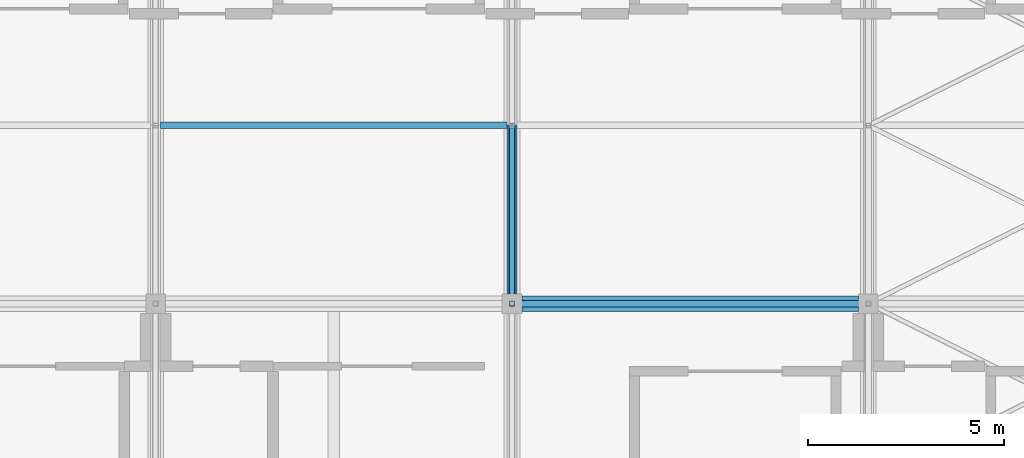
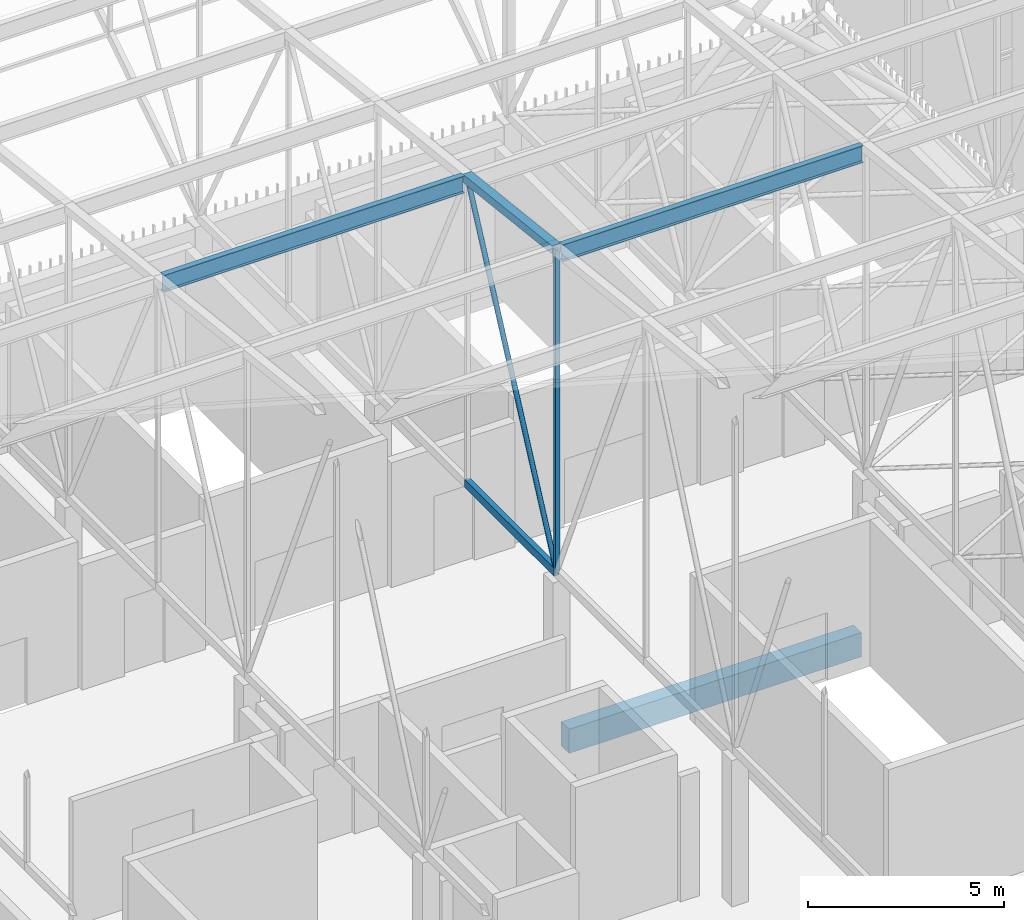
# One storey, part 393 of 500: 6 members, 1 beam.
"""IFC4 building model written with IfcOpenShell, lengths in metres."""

import ifcopenshell
import ifcopenshell.guid

model = None  # the IFC model being written
_history = None  # IfcOwnerHistory: only IFC2X3 demands one
_inside = {}  # id of a spatial element -> (the spatial element, [elements in it])
_under = {}  # id of a project, library or spatial element -> (it, [spatial elements below it])
_declared = {}  # id of a project -> (the project, [libraries it declares])
_typed = {}  # id of a type object -> (the type object, [elements of that type])
_made_of = {}  # id of a material, layer set ... -> (it, [elements and type objects made of it])


def new_model(schema):
    """Start an empty IFC model of exactly this schema.

    Asked for "IFC4X3", IfcOpenShell would pick the latest addendum, in which some entities
    have other attributes; the version numbers below select the first issue.
    IFC2X3 requires an IfcOwnerHistory on every rooted entity: one is made here for all.
    """
    global model, _history
    if schema == "IFC4X3":
        model = ifcopenshell.file(schema_version=(4, 3, 0, 0))
    else:
        model = ifcopenshell.file(schema=schema)
    _inside.clear()
    _under.clear()
    _declared.clear()
    _typed.clear()
    _made_of.clear()
    _history = None
    if model.schema == "IFC2X3":
        org = make("IfcOrganization", Name="unknown")
        user = make(
            "IfcPersonAndOrganization",
            ThePerson=make("IfcPerson", FamilyName="unknown"),
            TheOrganization=org,
        )
        app = make(
            "IfcApplication",
            ApplicationDeveloper=org,
            Version="unknown",
            ApplicationFullName="unknown",
            ApplicationIdentifier="unknown",
        )
        _history = make(
            "IfcOwnerHistory",
            OwningUser=user,
            OwningApplication=app,
            ChangeAction="ADDED",
            CreationDate=0,
        )
    return model


def make(cls, **values):
    """One entity of the class cls with the attributes given. An attribute that is None is left unset."""
    return model.create_entity(
        cls, **{name: value for name, value in values.items() if value is not None}
    )


def rooted(cls, **values):
    """An entity with a GlobalId (a new one), such as an element, a storey or a relation."""
    return make(cls, GlobalId=ifcopenshell.guid.new(), OwnerHistory=_history, **values)


def si_unit(unit_type, name, prefix=None):
    """IfcSIUnit, for example si_unit("LENGTHUNIT", "METRE", prefix="MILLI")."""
    return make("IfcSIUnit", UnitType=unit_type, Prefix=prefix, Name=name)


def assignment(units):
    """IfcUnitAssignment: the units of a project."""
    return None if units is None else make("IfcUnitAssignment", Units=units)


def point(xyz):
    """IfcCartesianPoint."""
    return None if xyz is None else make("IfcCartesianPoint", Coordinates=xyz)


def direction(xyz):
    """IfcDirection."""
    return None if xyz is None else make("IfcDirection", DirectionRatios=xyz)


def frame(location, z_axis=None, x_axis=None):
    """IfcAxis2Placement3D, a coordinate frame: its origin and axes. An axis left out is left unset."""
    return make(
        "IfcAxis2Placement3D",
        Location=point(location),
        Axis=direction(z_axis),
        RefDirection=direction(x_axis),
    )


def frame_2d(location, x_axis=None):
    """IfcAxis2Placement2D, a coordinate frame in the plane: its origin and x axis."""
    return make(
        "IfcAxis2Placement2D", Location=point(location), RefDirection=direction(x_axis)
    )


def origin():
    """The frame at (0, 0, 0) with its axes left unset."""
    return frame((0.0, 0.0, 0.0))


def origin_2d():
    """The frame at (0, 0) in the plane with its x axis left unset."""
    return frame_2d((0.0, 0.0))


def place(relative_to, where):
    """IfcLocalPlacement: puts the frame where relative to a parent placement (None: the world)."""
    return make(
        "IfcLocalPlacement", PlacementRelTo=relative_to, RelativePlacement=where
    )


def context(
    kind, dimensions, precision=None, world=None, true_north=None, identifier=None
):
    """IfcGeometricRepresentationContext, for example the 3D "Model" context."""
    return make(
        "IfcGeometricRepresentationContext",
        ContextIdentifier=identifier,
        ContextType=kind,
        CoordinateSpaceDimension=dimensions,
        Precision=precision,
        WorldCoordinateSystem=world,
        TrueNorth=true_north,
    )


def subcontext(parent, identifier, kind, view, scale=None):
    """IfcGeometricRepresentationSubContext, for example "Body" below "Model"."""
    return make(
        "IfcGeometricRepresentationSubContext",
        ContextIdentifier=identifier,
        ContextType=kind,
        ParentContext=parent,
        TargetScale=scale,
        TargetView=view,
    )


def project(units=None, contexts=None):
    """IfcProject with its units and contexts."""
    return rooted(
        "IfcProject",
        Name="project",
        RepresentationContexts=contexts,
        UnitsInContext=assignment(units),
    )


def spatial(cls, under=None, at=None, **own):
    """A site, building, storey or space (cls), placed at a placement, below another one or the project."""
    s = rooted(cls, ObjectPlacement=at, **own)
    if under is not None:
        _under.setdefault(under.id(), (under, []))[1].append(s)
    return s


def profile(cls, at=None, kind="AREA", **sizes):
    """A parametric profile (cls). Its sizes go by their IFC names, for example OverallWidth=200.0."""
    return make(cls, ProfileType=kind, Position=at, **sizes)


def rectangle(**sizes):
    """IfcRectangleProfileDef."""
    return profile("IfcRectangleProfileDef", **sizes)


def hollow_rectangle(**sizes):
    """IfcRectangleHollowProfileDef."""
    return profile("IfcRectangleHollowProfileDef", **sizes)


def hollow_circle(**sizes):
    """IfcCircleHollowProfileDef."""
    return profile("IfcCircleHollowProfileDef", **sizes)


def i_section(**sizes):
    """IfcIShapeProfileDef."""
    return profile("IfcIShapeProfileDef", **sizes)


def extrude(swept, where, along, depth):
    """IfcExtrudedAreaSolid: the profile swept, set in the frame where, extruded along a direction by depth."""
    return make(
        "IfcExtrudedAreaSolid",
        SweptArea=swept,
        Position=where,
        ExtrudedDirection=direction(along),
        Depth=depth,
    )


def shape(context_of_items, identifier, shape_type, items):
    """IfcShapeRepresentation: the items that make up one representation, for example the "Body"."""
    return make(
        "IfcShapeRepresentation",
        ContextOfItems=context_of_items,
        RepresentationIdentifier=identifier,
        RepresentationType=shape_type,
        Items=items,
    )


def material(Name=None, Category=None):
    """IfcMaterial."""
    return make("IfcMaterial", Name=Name, Category=Category)


def material_profile(
    of_material, cross_section, Name=None, Category=None, Priority=None
):
    """IfcMaterialProfile: a cross section and its material."""
    return make(
        "IfcMaterialProfile",
        Name=Name,
        Material=of_material,
        Profile=cross_section,
        Priority=Priority,
        Category=Category,
    )


def profile_set(profiles, Name=None, composite=None):
    """IfcMaterialProfileSet."""
    return make(
        "IfcMaterialProfileSet",
        Name=Name,
        MaterialProfiles=profiles,
        CompositeProfile=composite,
    )


def made_of(thing, what):
    """Note that an element or type object is made of a material, layer set ...; save() writes the relation."""
    if what is not None:
        _made_of.setdefault(what.id(), (what, []))[1].append(thing)
    return thing


def type_object(cls, material=None, **own):
    """A type object (cls), such as IfcWallType, which elements share."""
    return made_of(rooted(cls, **own), material)


def element(
    cls,
    number,
    at=None,
    inside=None,
    cuts=None,
    type_object=None,
    material=None,
    context=None,
    identifier="Body",
    shape_type=None,
    held_by="IfcProductDefinitionShape",
    body=None,
    shapes=None,
    **own,
):
    """One element of the class cls, such as IfcWall. Its Tag is "e" and its number.

    at: its placement. inside: the storey or other place that contains it. cuts: it is an
    opening in that element (IfcRelVoidsElement). A single representation is given by context,
    identifier, shape_type and body (its items); several are given by shapes. held_by: the class
    of the entity that holds the representations. save() writes the other relations.
    """
    e = rooted(cls, Tag="e%d" % number, ObjectPlacement=at, **own)
    if body is not None:
        shapes = [shape(context, identifier, shape_type, body)]
    if shapes is not None:
        e.Representation = make(held_by, Representations=shapes)
    if inside is not None:
        _inside.setdefault(inside.id(), (inside, []))[1].append(e)
    if cuts is not None:
        rooted(
            "IfcRelVoidsElement", RelatingBuildingElement=cuts, RelatedOpeningElement=e
        )
    if type_object is not None:
        _typed.setdefault(type_object.id(), (type_object, []))[1].append(e)
    return made_of(e, material)


def aggregate(whole, parts):
    """IfcRelAggregates: a whole, such as a stair, and the parts it consists of."""
    return rooted("IfcRelAggregates", RelatingObject=whole, RelatedObjects=parts)


def save(model, path):
    """Write the relations noted so far, then the file.

    IfcRelAggregates (storeys below a building ...), IfcRelContainedInSpatialStructure (elements
    in a storey), IfcRelDefinesByType, IfcRelAssociatesMaterial and IfcRelDeclares: one each for
    every whole, place, type object, material and project.
    """
    for whole, parts in _under.values():
        aggregate(whole, parts)
    for where, things in _inside.values():
        rooted(
            "IfcRelContainedInSpatialStructure",
            RelatedElements=things,
            RelatingStructure=where,
        )
    for kind, things in _typed.values():
        rooted("IfcRelDefinesByType", RelatedObjects=things, RelatingType=kind)
    for what, things in _made_of.values():
        rooted("IfcRelAssociatesMaterial", RelatedObjects=things, RelatingMaterial=what)
    for by, libraries in _declared.values():
        rooted("IfcRelDeclares", RelatingContext=by, RelatedDefinitions=libraries)
    model.write(path)


model = new_model("IFC4")

# Units and contexts
model_context = context("Model", 3, precision=1e-05, world=origin(), true_north=direction((0.0, 1.0)))
body_context = subcontext(model_context, "Body", "Model", "MODEL_VIEW")
ifc_project = project(units=[si_unit("LENGTHUNIT", "METRE"), si_unit("AREAUNIT", "SQUARE_METRE"), si_unit("VOLUMEUNIT", "CUBIC_METRE"), si_unit("PLANEANGLEUNIT", "RADIAN"), si_unit("MASSUNIT", "GRAM", prefix="KILO")], contexts=[model_context])

# Site, building, storey
site_placement = place(None, origin())
site = spatial("IfcSite", under=ifc_project, at=site_placement, CompositionType="ELEMENT")
building_placement = place(site_placement, origin())
building = spatial("IfcBuilding", under=site, at=building_placement, Name="Shirokan Park Arena", CompositionType="ELEMENT")
storey_placement = place(building_placement, frame((0.0, 0.0, 29.1201171875)))
storey = spatial("IfcBuildingStorey", under=building, at=storey_placement, Name="L06", CompositionType="ELEMENT", Elevation=29.1201171875)

# Members
ifc_material_1 = material(Name="Steel ASTM A500 Grade C", Category="steel")
ifc_material_profile_1 = material_profile(ifc_material_1, hollow_rectangle(XDim=0.152099609375, YDim=0.25390625, WallThickness=0.009521484375, at=origin_2d()), Name="HSS254X152.4X9.5")
ifc_profile_set_1 = profile_set([ifc_material_profile_1], Name="Steel ASTM A500 Grade C")
member_type_1 = type_object("IfcMemberType", Name="Bottom chord HSS254X152.4X9.5", PredefinedType="CHORD", material=ifc_profile_set_1)
member_1_placement = place(storey_placement, frame((127.39990234375, 91.0, 4.677001953125), z_axis=(0.0, 1.0, 0.0), x_axis=(-1.0, 0.0, 0.0)))
element("IfcMember", 1, at=member_1_placement, inside=storey, type_object=member_type_1, Name="Truss T15 bottom chord 23", PredefinedType="CHORD", context=body_context, shape_type="SweptSolid", body=[
    extrude(hollow_rectangle(XDim=0.152099609375, YDim=0.25390625, WallThickness=0.009521484375, at=origin_2d()), origin(), (0.0, 0.0, 1.0), 4.550048828125),
])
ifc_material_2 = material(Name="Steel ASTM A992", Category="steel")
ifc_material_profile_2 = material_profile(ifc_material_2, i_section(OverallWidth=0.166015625, OverallDepth=0.528076171875, WebThickness=0.009765625, FlangeThickness=0.013671875, at=origin_2d()), Name="W530X74")
ifc_profile_set_2 = profile_set([ifc_material_profile_2], Name="Steel ASTM A992")
member_type_2 = type_object("IfcMemberType", Name="Purlin W530X74", PredefinedType="PURLIN", material=ifc_profile_set_2)
for number, where, z_axis, x_axis, name in (
    (2, (127.527099609375, 91.0, 14.56591796875), (1.0, 0.0, 0.0), (0.0, 1.0, 0.0), "Purlin 23 bay 15"),
    (3, (118.427001953125, 95.550048828125, 14.0458984375), (1.0, 0.0, 0.0), (0.0, 1.0, 0.0), "Purlin 24 bay 14"),
):
    element("IfcMember", number, at=place(storey_placement, frame(where, z_axis=z_axis, x_axis=x_axis)), inside=storey, type_object=member_type_2, Name=name, PredefinedType="PURLIN", context=body_context, shape_type="SweptSolid", body=[
        extrude(i_section(OverallWidth=0.166015625, OverallDepth=0.528076171875, WebThickness=0.009765625, FlangeThickness=0.013671875, at=origin_2d()), origin(), (0.0, 0.0, 1.0), 8.845947265625),
    ])

# Beam
ifc_material_3 = material(Name="Concrete C35", Category="concrete")
ifc_material_profile_3 = material_profile(ifc_material_3, rectangle(XDim=0.39990234375, YDim=0.75, at=origin_2d()), Name="400x750")
ifc_profile_set_3 = profile_set([ifc_material_profile_3], Name="Concrete C35")
beam_type = type_object("IfcBeamType", Name="RC girder 400x750", PredefinedType="BEAM", material=ifc_profile_set_3)
beam_placement = place(storey_placement, frame((127.650146484375, 91.0, -0.5751953125), z_axis=(1.0, 0.0, 0.0), x_axis=(0.0, 1.0, 0.0)))
element("IfcBeam", 4, at=beam_placement, inside=storey, type_object=beam_type, Name="Girder 15L-16L L06", PredefinedType="BEAM", context=body_context, shape_type="SweptSolid", body=[
    extrude(rectangle(XDim=0.39990234375, YDim=0.75, at=origin_2d()), origin(), (0.0, 0.0, 1.0), 8.599853515625),
])

# Members
ifc_material_profile_4 = material_profile(ifc_material_1, hollow_rectangle(XDim=0.25390625, YDim=0.25390625, WallThickness=0.009521484375, at=origin_2d()), Name="HSS254X254X9.5")
ifc_profile_set_4 = profile_set([ifc_material_profile_4], Name="Steel ASTM A500 Grade C")
member_type_3 = type_object("IfcMemberType", Name="Top chord HSS254X254X9.5", PredefinedType="CHORD", material=ifc_profile_set_4)
member_2_placement = place(storey_placement, frame((127.39990234375, 91.0, 14.702880859375), z_axis=(0.0, 0.993532328996, -0.113549598152), x_axis=(-1.0, 0.0, 0.0)))
element("IfcMember", 5, at=member_2_placement, inside=storey, type_object=member_type_3, Name="Truss T15 top chord 23", PredefinedType="CHORD", context=body_context, shape_type="SweptSolid", body=[
    extrude(hollow_rectangle(XDim=0.25390625, YDim=0.25390625, WallThickness=0.009521484375, at=origin_2d()), origin(), (0.0, 0.0, 1.0), 4.57958984375),
])
ifc_material_profile_5 = material_profile(ifc_material_1, hollow_circle(Radius=0.070556640625, WallThickness=0.006591796875, at=origin_2d()), Name="HSS141.3X6.6")
ifc_profile_set_5 = profile_set([ifc_material_profile_5], Name="Steel ASTM A500 Grade C")
member_type_4 = type_object("IfcMemberType", Name="Truss diagonal HSS141.3X6.6", PredefinedType="BRACE", material=ifc_profile_set_5)
member_3_placement = place(storey_placement, frame((127.39990234375, 91.0, 4.677001953125), z_axis=(0.0, 0.431746476626, 0.901994999942), x_axis=(-1.0, 0.0, 0.0)))
element("IfcMember", 6, at=member_3_placement, inside=storey, type_object=member_type_4, Name="Truss T15 diagonal 23", PredefinedType="BRACE", context=body_context, shape_type="SweptSolid", body=[
    extrude(hollow_circle(Radius=0.070556640625, WallThickness=0.006591796875, at=origin_2d()), origin(), (0.0, 0.0, 1.0), 10.538818359375),
])
ifc_material_profile_6 = material_profile(ifc_material_1, hollow_rectangle(XDim=0.126953125, YDim=0.126953125, WallThickness=0.008056640625, at=origin_2d()), Name="HSS127X127X7.9")
ifc_profile_set_6 = profile_set([ifc_material_profile_6], Name="Steel ASTM A500 Grade C")
member_type_5 = type_object("IfcMemberType", Name="Truss post HSS127X127X7.9", PredefinedType="POST", material=ifc_profile_set_6)
member_4_placement = place(storey_placement, frame((127.39990234375, 91.0, 4.677001953125), z_axis=(0.0, 0.0, 1.0), x_axis=(1.0, 0.0, 0.0)))
element("IfcMember", 7, at=member_4_placement, inside=storey, type_object=member_type_5, Name="Truss T15 post 23", PredefinedType="POST", context=body_context, shape_type="SweptSolid", body=[
    extrude(hollow_rectangle(XDim=0.126953125, YDim=0.126953125, WallThickness=0.008056640625, at=origin_2d()), origin(), (0.0, 0.0, 1.0), 10.02587890625),
])

save(model, "model.ifc")
